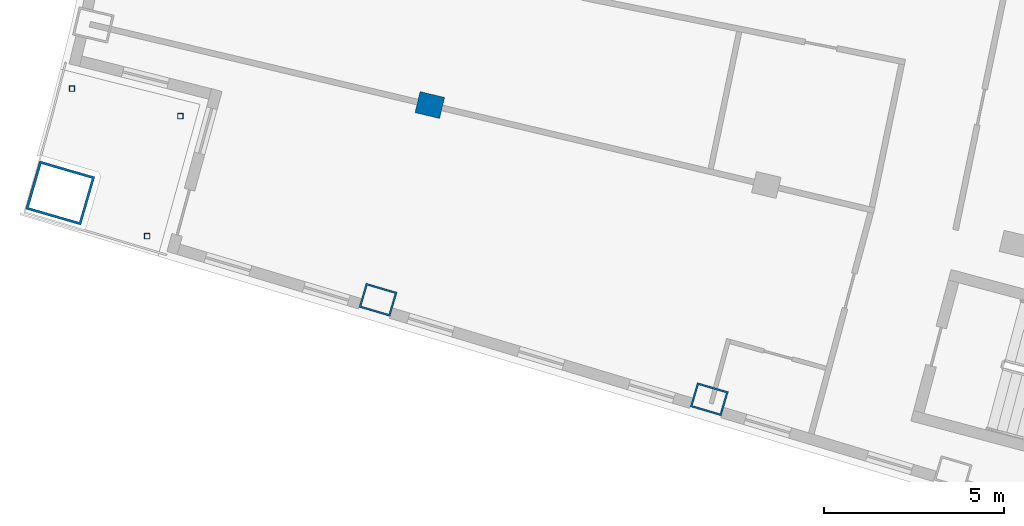
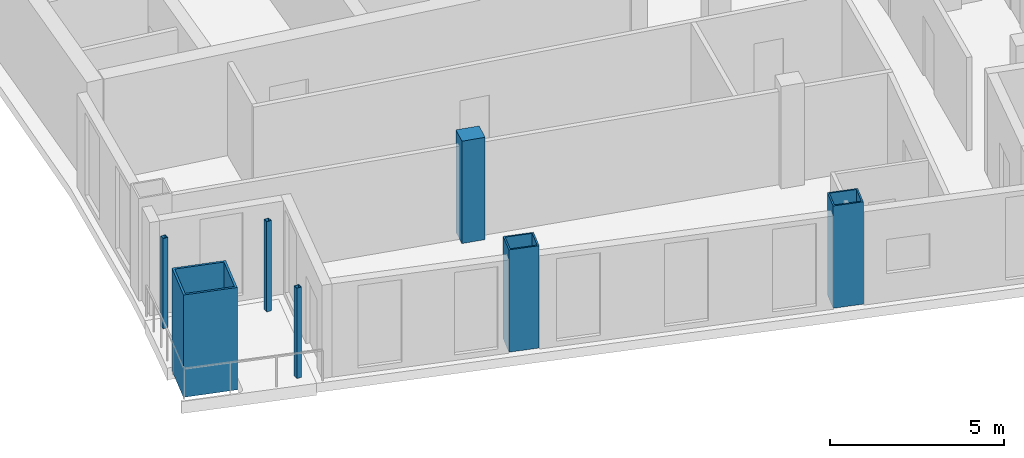
# One storey, part 1 of 15: 7 columns.
"""IFC4 building model written with IfcOpenShell, lengths in metres."""

from ifc_helpers import new_model, si_unit, direction, frame, origin, origin_2d, place, context, subcontext, project, spatial, rectangle, hollow_rectangle, extrude, material, material_profile, profile_set, type_object, element, save


model = new_model("IFC4")

# Units and contexts
model_context = context("Model", 3, precision=1e-05, world=origin(), true_north=direction((0.0, 1.0)))
body_context = subcontext(model_context, "Body", "Model", "MODEL_VIEW")
ifc_project = project(units=[si_unit("LENGTHUNIT", "METRE"), si_unit("AREAUNIT", "SQUARE_METRE"), si_unit("VOLUMEUNIT", "CUBIC_METRE"), si_unit("PLANEANGLEUNIT", "RADIAN"), si_unit("MASSUNIT", "GRAM", prefix="KILO")], contexts=[model_context])

# Site, building, storey
site_placement = place(None, origin())
site = spatial("IfcSite", under=ifc_project, at=site_placement, CompositionType="ELEMENT")
building_placement = place(site_placement, origin())
building = spatial("IfcBuilding", under=site, at=building_placement, Name="Alderwake Tower", CompositionType="ELEMENT")
storey_placement = place(building_placement, frame((0.0, 0.0, 249.199951171875)))
storey = spatial("IfcBuildingStorey", under=building, at=storey_placement, Name="L61", CompositionType="ELEMENT", Elevation=249.199951171875)

# Columns
ifc_material_1 = material(Name="Steel ASTM A572 Grade 50 concrete filled C70/85", Category="concrete")
ifc_material_profile_1 = material_profile(ifc_material_1, hollow_rectangle(XDim=0.699951171875, YDim=0.89990234375, WallThickness=0.050048828125, at=origin_2d()), Name="BOX 900X700X50")
ifc_profile_set_1 = profile_set([ifc_material_profile_1], Name="Steel ASTM A572 Grade 50 concrete filled C70/85")
column_type_1 = type_object("IfcColumnType", Name="End column Z5", PredefinedType="COLUMN", material=ifc_profile_set_1)
for number, where, z_axis, x_axis, name in (
    (1, (21.885498046875, 31.03759765625, 0.0), (0.0, 0.0, 1.0), (0.282132160283, 0.95937554906, 0.0), "Column R02-C1"),
    (2, (31.080322265625, 28.27685546875, 0.0), (0.0, 0.0, 1.0), (0.282582549822, 0.959242984095, 0.0), "Column R02-C2"),
):
    element("IfcColumn", number, at=place(storey_placement, frame(where, z_axis=z_axis, x_axis=x_axis)), inside=storey, type_object=column_type_1, Name=name, PredefinedType="COLUMN", context=body_context, shape_type="SweptSolid", body=[
        extrude(hollow_rectangle(XDim=0.699951171875, YDim=0.89990234375, WallThickness=0.050048828125, at=origin_2d()), origin(), (0.0, 0.0, 1.0), 3.60009765625),
    ])
ifc_material_2 = material(Name="Concrete C70/85", Category="concrete")
ifc_material_profile_2 = material_profile(ifc_material_2, rectangle(XDim=0.60009765625, YDim=0.699951171875, at=origin_2d()), Name="RC 700X600")
ifc_profile_set_2 = profile_set([ifc_material_profile_2], Name="Concrete C70/85")
column_type_2 = type_object("IfcColumnType", Name="Interior column Z5", PredefinedType="COLUMN", material=ifc_profile_set_2)
column_1_placement = place(storey_placement, frame((23.322021484375, 36.444091796875, 0.0), z_axis=(0.0, 0.0, 1.0), x_axis=(0.231221547198, 0.972901123502, 0.0)))
element("IfcColumn", 3, at=column_1_placement, inside=storey, type_object=column_type_2, Name="Column R03-C1", PredefinedType="COLUMN", context=body_context, shape_type="SweptSolid", body=[
    extrude(rectangle(XDim=0.60009765625, YDim=0.699951171875, at=origin_2d()), origin(), (0.0, 0.0, 1.0), 3.60009765625),
])
ifc_material_3 = material(Name="Steel ASTM A500 Grade C", Category="steel")
ifc_material_profile_3 = material_profile(ifc_material_3, hollow_rectangle(XDim=0.15234375, YDim=0.15234375, WallThickness=0.0087890625, at=origin_2d()), Name="HSS6X6X3/8")
ifc_profile_set_3 = profile_set([ifc_material_profile_3], Name="Steel ASTM A500 Grade C")
column_type_3 = type_object("IfcColumnType", Name="Light post HSS6X6X3/8", PredefinedType="COLUMN", material=ifc_profile_set_3)
for number, where, z_axis, x_axis, name in (
    (4, (13.3896484375, 36.896484375, 0.0), (0.0, 0.0, 1.0), (1.0, 0.0, 0.0), "Terrace post RS1"),
    (5, (15.47412109375, 32.805908203125, 0.0), (0.0, 0.0, 1.0), (1.0, 0.0, 0.0), "Terrace post RS2"),
    (6, (16.39501953125, 36.135986328125, 0.0), (0.0, 0.0, 1.0), (1.0, 0.0, 0.0), "Terrace post RS3"),
):
    element("IfcColumn", number, at=place(storey_placement, frame(where, z_axis=z_axis, x_axis=x_axis)), inside=storey, type_object=column_type_3, Name=name, PredefinedType="COLUMN", context=body_context, shape_type="SweptSolid", body=[
        extrude(hollow_rectangle(XDim=0.15234375, YDim=0.15234375, WallThickness=0.0087890625, at=origin_2d()), origin(), (0.0, 0.0, 1.0), 3.179931640625),
    ])
ifc_material_4 = material(Name="Steel ASTM A572 Grade 50 concrete filled C70/85", Category="concrete")
ifc_material_profile_4 = material_profile(ifc_material_4, hollow_rectangle(XDim=1.39990234375, YDim=1.60009765625, WallThickness=0.070068359375, at=origin_2d()), Name="BOX 1600X1400X70")
ifc_profile_set_4 = profile_set([ifc_material_profile_4], Name="Steel ASTM A572 Grade 50 concrete filled C70/85")
column_type_4 = type_object("IfcColumnType", Name="Mega column Z5", PredefinedType="COLUMN", material=ifc_profile_set_4)
column_2_placement = place(storey_placement, frame((13.06298828125, 34.00244140625, 0.0), z_axis=(0.0, 0.0, 1.0), x_axis=(0.278612301868, 0.960403657452, 0.0)))
element("IfcColumn", 7, at=column_2_placement, inside=storey, type_object=column_type_4, Name="Column R02-C0", PredefinedType="COLUMN", context=body_context, shape_type="SweptSolid", body=[
    extrude(hollow_rectangle(XDim=1.39990234375, YDim=1.60009765625, WallThickness=0.070068359375, at=origin_2d()), origin(), (0.0, 0.0, 1.0), 3.60009765625),
])

save(model, "model.ifc")
